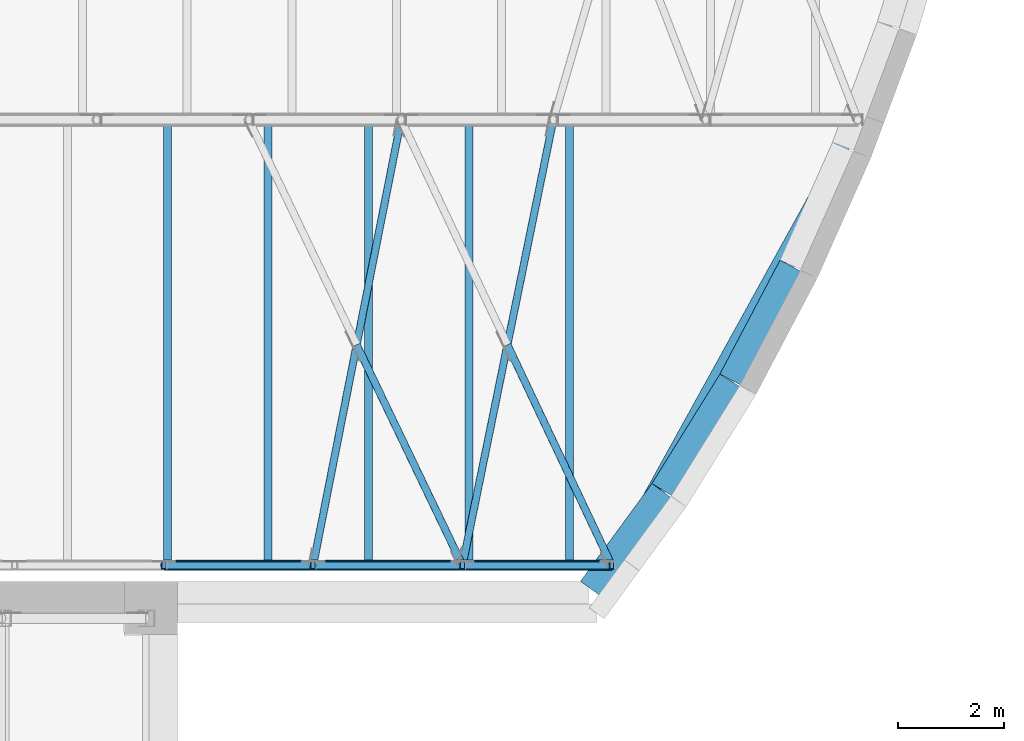
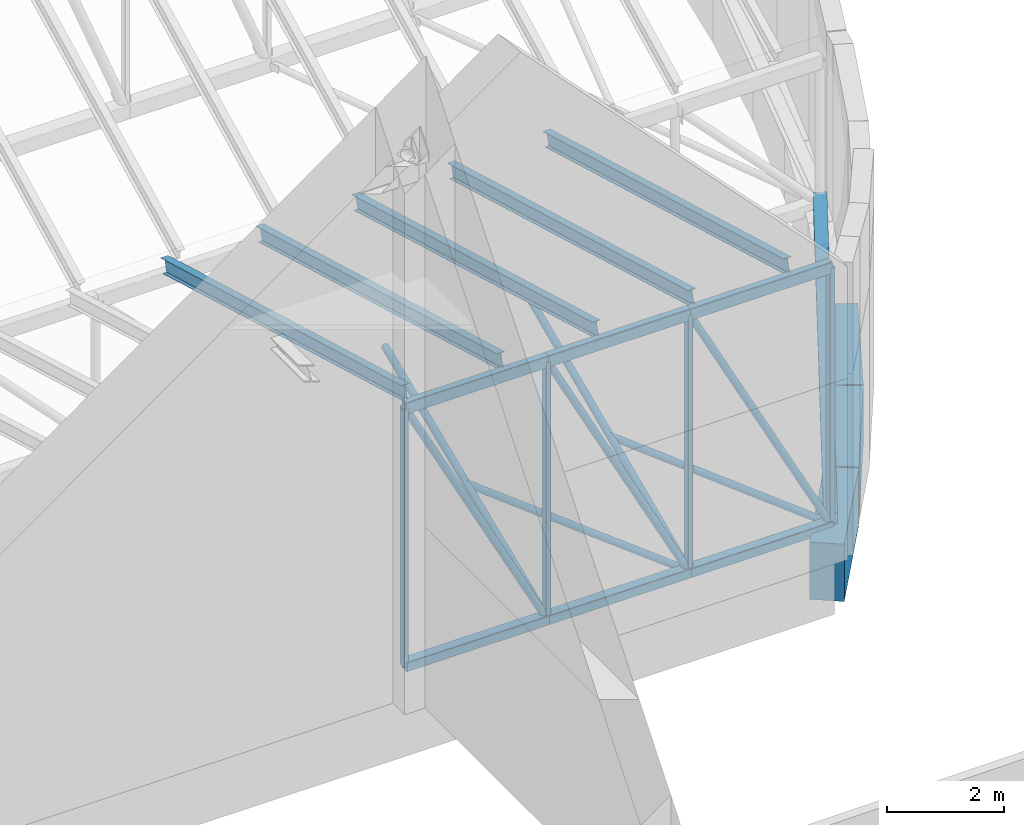
# One storey, part 14 of 68: 16 members, 10 beams.
"""IFC4 building model written with IfcOpenShell, lengths in metres."""

from ifc_helpers import new_model, si_unit, direction, frame, origin, origin_2d, place, context, subcontext, project, spatial, rectangle, hollow_rectangle, hollow_circle, i_section, extrude, material, material_profile, profile_set, type_object, element, save


model = new_model("IFC4")

# Units and contexts
model_context = context("Model", 3, precision=1e-05, world=origin(), true_north=direction((0.0, 1.0)))
body_context = subcontext(model_context, "Body", "Model", "MODEL_VIEW")
ifc_project = project(units=[si_unit("LENGTHUNIT", "METRE"), si_unit("AREAUNIT", "SQUARE_METRE"), si_unit("VOLUMEUNIT", "CUBIC_METRE"), si_unit("PLANEANGLEUNIT", "RADIAN"), si_unit("MASSUNIT", "GRAM", prefix="KILO")], contexts=[model_context])

# Site, building, storey
site_placement = place(None, origin())
site = spatial("IfcSite", under=ifc_project, at=site_placement, CompositionType="ELEMENT")
building_placement = place(site_placement, origin())
building = spatial("IfcBuilding", under=site, at=building_placement, Name="Larchfold Concert Hall", CompositionType="ELEMENT")
storey_placement = place(building_placement, frame((0.0, 0.0, 28.800048828125)))
storey = spatial("IfcBuildingStorey", under=building, at=storey_placement, Name="L06", CompositionType="ELEMENT", Elevation=28.800048828125)

# Beams
ifc_material_1 = material(Name="Concrete C40/50", Category="concrete")
ifc_material_profile_1 = material_profile(ifc_material_1, rectangle(XDim=0.60009765625, YDim=1.199951171875, at=origin_2d()))
ifc_profile_set_1 = profile_set([ifc_material_profile_1], Name="Concrete C40/50")
beam_type_1 = type_object("IfcBeamType", Name="Beam RC 600x1200", PredefinedType="BEAM", material=ifc_profile_set_1)
beam_1_placement = place(storey_placement, frame((59.136962890625, 59.522705078125, -0.60009765625), z_axis=(0.590779842207, 0.806832806747, 0.0), x_axis=(-0.806832806747, 0.590779842207, 0.0)))
element("IfcBeam", 1, at=beam_1_placement, inside=storey, type_object=beam_type_1, Name="Beam RB51", PredefinedType="BEAM", context=body_context, shape_type="SweptSolid", body=[
    extrude(rectangle(XDim=0.60009765625, YDim=1.199951171875, at=origin_2d()), origin(), (0.0, 0.0, 1.0), 2.284912109375),
])
beam_2_placement = place(storey_placement, frame((60.499755859375, 61.38525390625, -0.60009765625), z_axis=(0.527690900744, 0.849436468061, 0.0), x_axis=(-0.849436468061, 0.527690900744, 0.0)))
element("IfcBeam", 2, at=beam_2_placement, inside=storey, type_object=beam_type_1, Name="Beam RB52", PredefinedType="BEAM", context=body_context, shape_type="SweptSolid", body=[
    extrude(rectangle(XDim=0.60009765625, YDim=1.199951171875, at=origin_2d()), origin(), (0.0, 0.0, 1.0), 2.4267578125),
])
beam_3_placement = place(storey_placement, frame((61.790771484375, 63.46484375, -0.60009765625), z_axis=(0.466450636576, 0.884547230869, 0.0), x_axis=(-0.884547230869, 0.466450636576, 0.0)))
element("IfcBeam", 3, at=beam_3_placement, inside=storey, type_object=beam_type_1, Name="Beam RB53", PredefinedType="BEAM", context=body_context, shape_type="SweptSolid", body=[
    extrude(rectangle(XDim=0.60009765625, YDim=1.199951171875, at=origin_2d()), origin(), (0.0, 0.0, 1.0), 2.428466796875),
])

# Members
ifc_material_2 = material(Name="Steel S355J2H", Category="steel")
ifc_material_profile_2 = material_profile(ifc_material_2, hollow_circle(Radius=0.06982421875, WallThickness=0.00634765625, at=origin_2d()))
ifc_profile_set_2 = profile_set([ifc_material_profile_2], Name="Steel S355J2H")
member_type_1 = type_object("IfcMemberType", Name="Bracing CHS 139.7x6.3", PredefinedType="BRACE", material=ifc_profile_set_2)
member_1_placement = place(storey_placement, frame((56.672119140625, 60.0, 0.0), z_axis=(0.199860695609, 0.979824322188, 0.0), x_axis=(-0.979824322188, 0.199860695609, 0.0)))
element("IfcMember", 4, at=member_1_placement, inside=storey, type_object=member_type_1, Name="Member FB007", PredefinedType="BRACE", context=body_context, shape_type="SweptSolid", body=[
    extrude(hollow_circle(Radius=0.06982421875, WallThickness=0.00634765625, at=origin_2d()), origin(), (0.0, 0.0, 1.0), 8.57275390625),
])
member_2_placement = place(storey_placement, frame((59.486572265625, 60.0, 0.0), z_axis=(-0.427383560316, 0.904070402332, 0.0), x_axis=(-0.904070402332, -0.427383560316, 0.0)))
element("IfcMember", 5, at=member_2_placement, inside=storey, type_object=member_type_1, Name="Member FB008", PredefinedType="BRACE", context=body_context, shape_type="SweptSolid", body=[
    extrude(hollow_circle(Radius=0.06982421875, WallThickness=0.00634765625, at=origin_2d()), origin(), (0.0, 0.0, 1.0), 4.600341796875),
])
member_3_placement = place(storey_placement, frame((53.857666015625, 60.0, 0.0), z_axis=(0.193614975548, 0.981077591857, 0.0), x_axis=(-0.981077591857, 0.193614975548, 0.0)))
element("IfcMember", 6, at=member_3_placement, inside=storey, type_object=member_type_1, Name="Member FB010", PredefinedType="BRACE", context=body_context, shape_type="SweptSolid", body=[
    extrude(hollow_circle(Radius=0.06982421875, WallThickness=0.00634765625, at=origin_2d()), origin(), (0.0, 0.0, 1.0), 8.56201171875),
])
member_4_placement = place(storey_placement, frame((56.672119140625, 60.0, 0.0), z_axis=(-0.432266366998, 0.901745966424, 0.0), x_axis=(-0.901745966424, -0.432266366998, 0.0)))
element("IfcMember", 7, at=member_4_placement, inside=storey, type_object=member_type_1, Name="Member FB011", PredefinedType="BRACE", context=body_context, shape_type="SweptSolid", body=[
    extrude(hollow_circle(Radius=0.06982421875, WallThickness=0.00634765625, at=origin_2d()), origin(), (0.0, 0.0, 1.0), 4.612060546875),
])
ifc_material_3 = material(Name="Steel S355", Category="steel")
ifc_material_profile_3 = material_profile(ifc_material_3, i_section(OverallWidth=0.14990234375, OverallDepth=0.300048828125, WebThickness=0.007080078125, FlangeThickness=0.0107421875, FilletRadius=0.014892578125, at=origin_2d()))
ifc_profile_set_3 = profile_set([ifc_material_profile_3], Name="Steel S355")
member_type_2 = type_object("IfcMemberType", Name="Rafter IPE 300", PredefinedType="RAFTER", material=ifc_profile_set_3)
for number, where, z_axis, x_axis, name in (
    (8, (51.116455078125, 60.054931640625, 5.646240234375), (0.0, 0.962273331526, -0.272084610799), (-1.0, 0.0, 0.0), "Member RF0014"),
    (9, (53.009033203125, 60.054931640625, 5.646240234375), (0.0, 0.962273331526, -0.272084610799), (-1.0, 0.0, 0.0), "Member RF0015"),
    (10, (54.901611328125, 60.054931640625, 5.646240234375), (0.0, 0.962273331526, -0.272084610799), (-1.0, 0.0, 0.0), "Member RF0016"),
    (11, (56.7939453125, 60.054931640625, 5.646240234375), (0.0, 0.962273331526, -0.272084610799), (-1.0, 0.0, 0.0), "Member RF0017"),
    (12, (58.6865234375, 60.054931640625, 5.646240234375), (0.0, 0.962273331526, -0.272084610799), (-1.0, 0.0, 0.0), "Member RF0018"),
):
    element("IfcMember", number, at=place(storey_placement, frame(where, z_axis=z_axis, x_axis=x_axis)), inside=storey, type_object=member_type_2, Name=name, PredefinedType="RAFTER", context=body_context, shape_type="SweptSolid", body=[
        extrude(i_section(OverallWidth=0.14990234375, OverallDepth=0.300048828125, WebThickness=0.007080078125, FlangeThickness=0.0107421875, FilletRadius=0.014892578125, at=origin_2d()), origin(), (0.0, 0.0, 1.0), 8.5888671875),
    ])

# Beams
ifc_material_4 = material(Name="Steel S355", Category="steel")
ifc_material_profile_4 = material_profile(ifc_material_4, i_section(OverallWidth=0.239990234375, OverallDepth=0.22998046875, WebThickness=0.007568359375, FlangeThickness=0.011962890625, FilletRadius=0.02099609375, at=origin_2d()))
ifc_profile_set_4 = profile_set([ifc_material_profile_4], Name="Steel S355")
beam_type_2 = type_object("IfcBeamType", Name="Steel beam HEA 240", PredefinedType="BEAM", material=ifc_profile_set_4)
beam_4_placement = place(storey_placement, frame((59.486572265625, 60.0, 0.114990234375), z_axis=(0.483455291707, 0.875369054125, 0.0), x_axis=(-0.875369054125, 0.483455291707, 0.0)))
element("IfcBeam", 13, at=beam_4_placement, inside=storey, type_object=beam_type_2, Name="Beam EM11", PredefinedType="BEAM", context=body_context, shape_type="SweptSolid", body=[
    extrude(i_section(OverallWidth=0.239990234375, OverallDepth=0.22998046875, WebThickness=0.007568359375, FlangeThickness=0.011962890625, FilletRadius=0.02099609375, at=origin_2d()), origin(), (0.0, 0.0, 1.0), 9.595947265625),
])
ifc_material_5 = material(Name="Steel S355J2H", Category="steel")
ifc_material_profile_5 = material_profile(ifc_material_5, hollow_rectangle(XDim=0.14990234375, YDim=0.25, WallThickness=0.010009765625, InnerFilletRadius=0.010009765625, OuterFilletRadius=0.02001953125, at=origin_2d()))
ifc_profile_set_5 = profile_set([ifc_material_profile_5], Name="Steel S355J2H")
beam_type_3 = type_object("IfcBeamType", Name="Truss chord RHS 250x150x10", PredefinedType="BEAM", material=ifc_profile_set_5)
beam_5_placement = place(storey_placement, frame((51.04345703125, 60.0, 5.39990234375), z_axis=(1.0, 0.0, 0.0), x_axis=(0.0, 1.0, 0.0)))
element("IfcBeam", 14, at=beam_5_placement, inside=storey, type_object=beam_type_3, Name="Beam FT1T10", PredefinedType="BEAM", context=body_context, shape_type="SweptSolid", body=[
    extrude(hollow_rectangle(XDim=0.14990234375, YDim=0.25, WallThickness=0.010009765625, InnerFilletRadius=0.010009765625, OuterFilletRadius=0.02001953125, at=origin_2d()), origin(), (0.0, 0.0, 1.0), 2.814208984375),
])
for number, where, z_axis, x_axis, name in (
    (15, (53.857666015625, 60.0, 5.39990234375), (1.0, 0.0, 0.0), (0.0, 1.0, 0.0), "Beam FT1T11"),
    (16, (56.672119140625, 60.0, 5.39990234375), (1.0, 0.0, 0.0), (0.0, 1.0, 0.0), "Beam FT1T12"),
):
    element("IfcBeam", number, at=place(storey_placement, frame(where, z_axis=z_axis, x_axis=x_axis)), inside=storey, type_object=beam_type_3, Name=name, PredefinedType="BEAM", context=body_context, shape_type="SweptSolid", body=[
        extrude(hollow_rectangle(XDim=0.14990234375, YDim=0.25, WallThickness=0.010009765625, InnerFilletRadius=0.010009765625, OuterFilletRadius=0.02001953125, at=origin_2d()), origin(), (0.0, 0.0, 1.0), 2.814453125),
    ])

# Members
ifc_material_6 = material(Name="Steel S355J2H", Category="steel")
ifc_material_profile_6 = material_profile(ifc_material_6, hollow_rectangle(XDim=0.10009765625, YDim=0.14990234375, WallThickness=0.008056640625, InnerFilletRadius=0.008056640625, OuterFilletRadius=0.01611328125, at=origin_2d()))
ifc_profile_set_6 = profile_set([ifc_material_profile_6], Name="Steel S355J2H")
member_type_3 = type_object("IfcMemberType", Name="Truss post RHS 150x100x8", PredefinedType="POST", material=ifc_profile_set_6)
for number, where, z_axis, x_axis, name in (
    (17, (51.04345703125, 60.0, 5.39990234375), (0.0, 0.0, -1.0), (1.0, 0.0, 0.0), "Member FT1V10"),
    (18, (53.857666015625, 60.0, 5.39990234375), (0.0, 0.0, -1.0), (1.0, 0.0, 0.0), "Member FT1V11"),
    (19, (56.672119140625, 60.0, 5.39990234375), (0.0, 0.0, -1.0), (1.0, 0.0, 0.0), "Member FT1V12"),
    (20, (59.486572265625, 60.0, 5.39990234375), (0.0, 0.0, -1.0), (1.0, 0.0, 0.0), "Member FT1V13"),
):
    element("IfcMember", number, at=place(storey_placement, frame(where, z_axis=z_axis, x_axis=x_axis)), inside=storey, type_object=member_type_3, Name=name, PredefinedType="POST", context=body_context, shape_type="SweptSolid", body=[
        extrude(hollow_rectangle(XDim=0.10009765625, YDim=0.14990234375, WallThickness=0.008056640625, InnerFilletRadius=0.008056640625, OuterFilletRadius=0.01611328125, at=origin_2d()), origin(), (0.0, 0.0, 1.0), 5.39990234375),
    ])

# Beams
ifc_material_7 = material(Name="Steel S355J2H", Category="steel")
ifc_material_profile_7 = material_profile(ifc_material_7, hollow_rectangle(XDim=0.199951171875, YDim=0.199951171875, WallThickness=0.010009765625, InnerFilletRadius=0.010009765625, OuterFilletRadius=0.02001953125, at=origin_2d()))
ifc_profile_set_7 = profile_set([ifc_material_profile_7], Name="Steel S355J2H")
beam_type_4 = type_object("IfcBeamType", Name="Truss tie SHS 200x200x10", PredefinedType="BEAM", material=ifc_profile_set_7)
beam_6_placement = place(storey_placement, frame((51.04345703125, 60.0, 0.0), z_axis=(1.0, 0.0, 0.0), x_axis=(0.0, 1.0, 0.0)))
element("IfcBeam", 21, at=beam_6_placement, inside=storey, type_object=beam_type_4, Name="Beam FT1B10", PredefinedType="BEAM", context=body_context, shape_type="SweptSolid", body=[
    extrude(hollow_rectangle(XDim=0.199951171875, YDim=0.199951171875, WallThickness=0.010009765625, InnerFilletRadius=0.010009765625, OuterFilletRadius=0.02001953125, at=origin_2d()), origin(), (0.0, 0.0, 1.0), 2.814208984375),
])
for number, where, z_axis, x_axis, name in (
    (22, (53.857666015625, 60.0, 0.0), (1.0, 0.0, 0.0), (0.0, 1.0, 0.0), "Beam FT1B11"),
    (23, (56.672119140625, 60.0, 0.0), (1.0, 0.0, 0.0), (0.0, 1.0, 0.0), "Beam FT1B12"),
):
    element("IfcBeam", number, at=place(storey_placement, frame(where, z_axis=z_axis, x_axis=x_axis)), inside=storey, type_object=beam_type_4, Name=name, PredefinedType="BEAM", context=body_context, shape_type="SweptSolid", body=[
        extrude(hollow_rectangle(XDim=0.199951171875, YDim=0.199951171875, WallThickness=0.010009765625, InnerFilletRadius=0.010009765625, OuterFilletRadius=0.02001953125, at=origin_2d()), origin(), (0.0, 0.0, 1.0), 2.814453125),
    ])

# Members
ifc_material_8 = material(Name="Steel S355J2H", Category="steel")
ifc_material_profile_8 = material_profile(ifc_material_8, hollow_circle(Radius=0.06982421875, WallThickness=0.00634765625, at=origin_2d()))
ifc_profile_set_8 = profile_set([ifc_material_profile_8], Name="Steel S355J2H")
member_type_4 = type_object("IfcMemberType", Name="Truss web CHS 139.7x6.3", PredefinedType="BRACE", material=ifc_profile_set_8)
member_5_placement = place(storey_placement, frame((51.04345703125, 60.0, 5.39990234375), z_axis=(0.462161743561, 0.0, -0.886795648832), x_axis=(0.0, 1.0, 0.0)))
element("IfcMember", 24, at=member_5_placement, inside=storey, type_object=member_type_4, Name="Member FT1D10", PredefinedType="BRACE", context=body_context, shape_type="SweptSolid", body=[
    extrude(hollow_circle(Radius=0.06982421875, WallThickness=0.00634765625, at=origin_2d()), origin(), (0.0, 0.0, 1.0), 6.089111328125),
])
for number, where, z_axis, x_axis, name in (
    (25, (53.857666015625, 60.0, 5.39990234375), (0.462193272746, 0.0, -0.886779216394), (0.0, 1.0, 0.0), "Member FT1D11"),
    (26, (56.672119140625, 60.0, 5.39990234375), (0.462193272746, 0.0, -0.886779216394), (0.0, 1.0, 0.0), "Member FT1D12"),
):
    element("IfcMember", number, at=place(storey_placement, frame(where, z_axis=z_axis, x_axis=x_axis)), inside=storey, type_object=member_type_4, Name=name, PredefinedType="BRACE", context=body_context, shape_type="SweptSolid", body=[
        extrude(hollow_circle(Radius=0.06982421875, WallThickness=0.00634765625, at=origin_2d()), origin(), (0.0, 0.0, 1.0), 6.08935546875),
    ])

save(model, "model.ifc")
